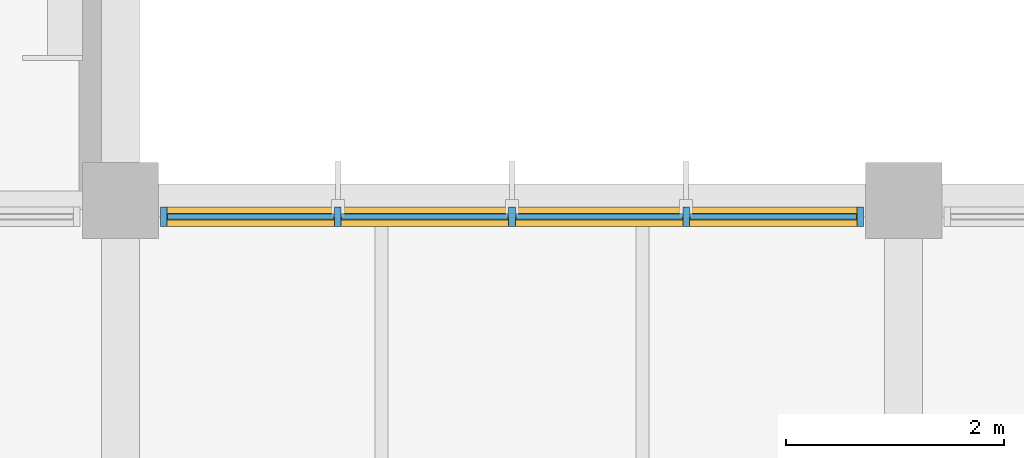
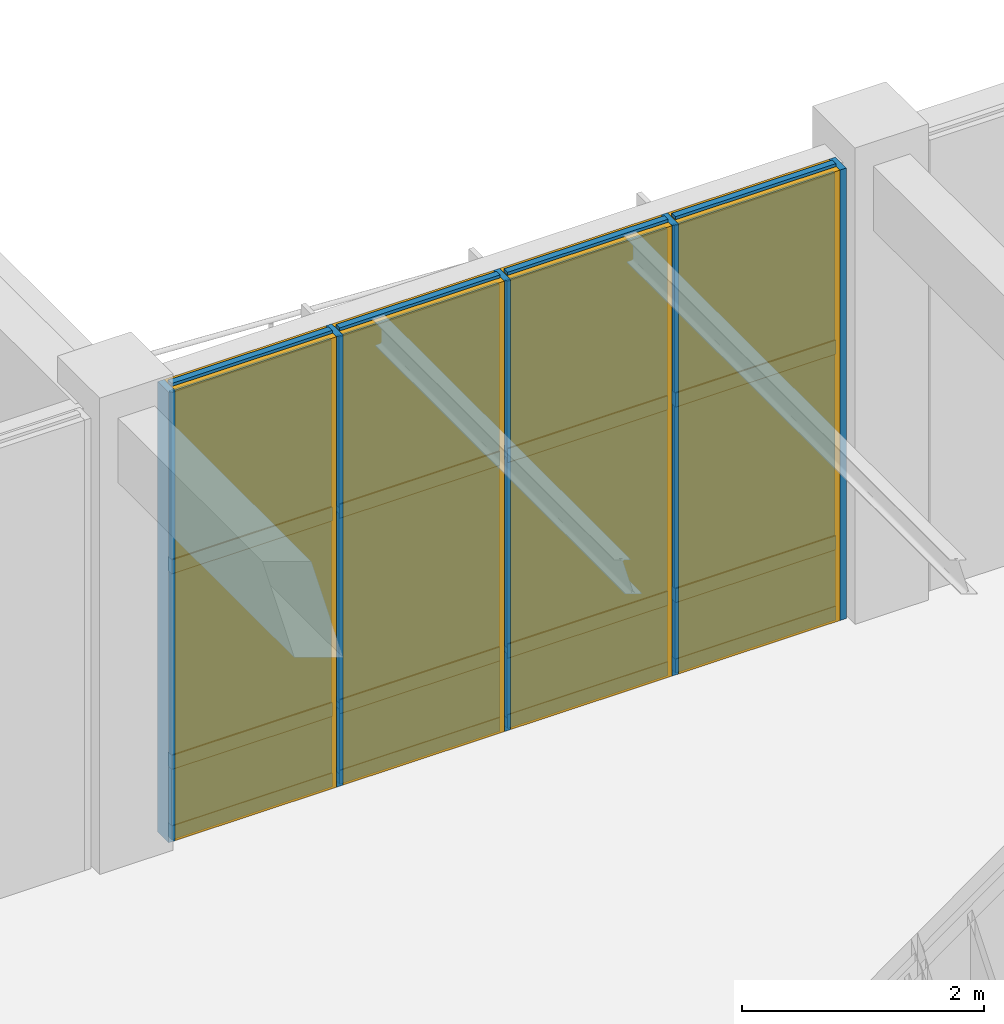
# One storey, part 91 of 122: 21 members, 12 plates, 1 curtain wall.
"""IFC4 building model written with IfcOpenShell, lengths in metres."""

from ifc_helpers import new_model, si_unit, direction, frame, frame_2d, origin, origin_2d, place, context, subcontext, project, spatial, rectangle, extrude, material, layer, layer_set, material_profile, profile_set, type_object, element, aggregate, save


model = new_model("IFC4")

# Units and contexts
model_context = context("Model", 3, precision=1e-05, world=origin(), true_north=direction((0.0, 1.0)))
body_context = subcontext(model_context, "Body", "Model", "MODEL_VIEW")
ifc_project = project(units=[si_unit("LENGTHUNIT", "METRE"), si_unit("AREAUNIT", "SQUARE_METRE"), si_unit("VOLUMEUNIT", "CUBIC_METRE"), si_unit("PLANEANGLEUNIT", "RADIAN"), si_unit("MASSUNIT", "GRAM", prefix="KILO")], contexts=[model_context])

# Member
ifc_material_1 = material(Name="Anodised Bronze Aluminium 6063-T6", Category="aluminium")
ifc_material_profile_1 = material_profile(ifc_material_1, rectangle(XDim=0.06005859375, YDim=0.179931640625, at=origin_2d()), Name="ALU MULLION 60x180")
ifc_profile_set_1 = profile_set([ifc_material_profile_1], Name="Anodised Bronze Aluminium 6063-T6")
member_type_1 = type_object("IfcMemberType", Name="Curtain-Wall Primary Mullion 60x180", PredefinedType="MULLION", material=ifc_profile_set_1)
site_placement = place(None, origin())
building_placement = place(site_placement, origin())
storey_placement = place(building_placement, origin())
member_1_placement = place(storey_placement, frame((103.0, 51.64990234375, 0.0), z_axis=(0.0, 0.0, 1.0), x_axis=(1.0, 0.0, 0.0)))
member_1 = element("IfcMember", 1, at=member_1_placement, type_object=member_type_1, Name="Mullion CWM-01 CW-ELNK-N-L00-B2-M01", PredefinedType="MULLION", context=body_context, shape_type="SweptSolid", body=[
    extrude(rectangle(XDim=0.06005859375, YDim=0.179931640625, at=origin_2d()), origin(), (0.0, 0.0, 1.0), 4.5400390625),
])

member_2_placement = place(storey_placement, frame((104.60009765625, 51.64990234375, 0.0), z_axis=(0.0, 0.0, 1.0), x_axis=(1.0, 0.0, 0.0)))
member_2 = element("IfcMember", 2, at=member_2_placement, type_object=member_type_1, Name="Mullion CWM-01 CW-ELNK-N-L00-B2-M02", PredefinedType="MULLION", context=body_context, shape_type="SweptSolid", body=[
    extrude(rectangle(XDim=0.06005859375, YDim=0.179931640625, at=origin_2d()), origin(), (0.0, 0.0, 1.0), 4.5400390625),
])

member_3_placement = place(storey_placement, frame((106.199951171875, 51.64990234375, 0.0), z_axis=(0.0, 0.0, 1.0), x_axis=(1.0, 0.0, 0.0)))
member_3 = element("IfcMember", 3, at=member_3_placement, type_object=member_type_1, Name="Mullion CWM-01 CW-ELNK-N-L00-B2-M03", PredefinedType="MULLION", context=body_context, shape_type="SweptSolid", body=[
    extrude(rectangle(XDim=0.06005859375, YDim=0.179931640625, at=origin_2d()), origin(), (0.0, 0.0, 1.0), 4.5400390625),
])

member_4_placement = place(storey_placement, frame((107.800048828125, 51.64990234375, 0.0), z_axis=(0.0, 0.0, 1.0), x_axis=(1.0, 0.0, 0.0)))
member_4 = element("IfcMember", 4, at=member_4_placement, type_object=member_type_1, Name="Mullion CWM-01 CW-ELNK-N-L00-B2-M04", PredefinedType="MULLION", context=body_context, shape_type="SweptSolid", body=[
    extrude(rectangle(XDim=0.06005859375, YDim=0.179931640625, at=origin_2d()), origin(), (0.0, 0.0, 1.0), 4.5400390625),
])

member_5_placement = place(storey_placement, frame((109.39990234375, 51.64990234375, 0.0), z_axis=(0.0, 0.0, 1.0), x_axis=(1.0, 0.0, 0.0)))
member_5 = element("IfcMember", 5, at=member_5_placement, type_object=member_type_1, Name="Mullion CWM-01 CW-ELNK-N-L00-B2-M05", PredefinedType="MULLION", context=body_context, shape_type="SweptSolid", body=[
    extrude(rectangle(XDim=0.06005859375, YDim=0.179931640625, at=origin_2d()), origin(), (0.0, 0.0, 1.0), 4.5400390625),
])

ifc_material_profile_2 = material_profile(ifc_material_1, rectangle(XDim=0.06005859375, YDim=0.139892578125, at=origin_2d()), Name="ALU TRANSOM 60x140")
ifc_profile_set_2 = profile_set([ifc_material_profile_2], Name="Anodised Bronze Aluminium 6063-T6")
member_type_2 = type_object("IfcMemberType", Name="Curtain-Wall Transom 60x140", PredefinedType="USERDEFINED", material=ifc_profile_set_2)
member_6_placement = place(storey_placement, frame((103.034912109375, 51.64990234375, 0.0400390625), z_axis=(1.0, 0.0, 0.0), x_axis=(0.0, 1.0, 0.0)))
member_6 = element("IfcMember", 6, at=member_6_placement, type_object=member_type_2, Name="Transom CWT-01 CW-ELNK-N-L00-B2-T01.1", ObjectType="TRANSOM", PredefinedType="USERDEFINED", context=body_context, shape_type="SweptSolid", body=[
    extrude(rectangle(XDim=0.06005859375, YDim=0.139892578125, at=origin_2d()), origin(), (0.0, 0.0, 1.0), 1.530029296875),
])

member_7_placement = place(storey_placement, frame((103.034912109375, 51.64990234375, 0.75), z_axis=(1.0, 0.0, 0.0), x_axis=(0.0, 1.0, 0.0)))
member_7 = element("IfcMember", 7, at=member_7_placement, type_object=member_type_2, Name="Transom CWT-01 CW-ELNK-N-L00-B2-T01.2", ObjectType="TRANSOM", PredefinedType="USERDEFINED", context=body_context, shape_type="SweptSolid", body=[
    extrude(rectangle(XDim=0.06005859375, YDim=0.139892578125, at=origin_2d()), origin(), (0.0, 0.0, 1.0), 1.530029296875),
])

member_8_placement = place(storey_placement, frame((103.034912109375, 51.64990234375, 2.720703125), z_axis=(1.0, 0.0, 0.0), x_axis=(0.0, 1.0, 0.0)))
member_8 = element("IfcMember", 8, at=member_8_placement, type_object=member_type_2, Name="Transom CWT-01 CW-ELNK-N-L00-B2-T01.3", ObjectType="TRANSOM", PredefinedType="USERDEFINED", context=body_context, shape_type="SweptSolid", body=[
    extrude(rectangle(XDim=0.06005859375, YDim=0.139892578125, at=origin_2d()), origin(), (0.0, 0.0, 1.0), 1.530029296875),
])

member_9_placement = place(storey_placement, frame((103.034912109375, 51.64990234375, 4.5), z_axis=(1.0, 0.0, 0.0), x_axis=(0.0, 1.0, 0.0)))
member_9 = element("IfcMember", 9, at=member_9_placement, type_object=member_type_2, Name="Transom CWT-01 CW-ELNK-N-L00-B2-T01.4", ObjectType="TRANSOM", PredefinedType="USERDEFINED", context=body_context, shape_type="SweptSolid", body=[
    extrude(rectangle(XDim=0.06005859375, YDim=0.139892578125, at=origin_2d()), origin(), (0.0, 0.0, 1.0), 1.530029296875),
])

member_10_placement = place(storey_placement, frame((104.635009765625, 51.64990234375, 0.0400390625), z_axis=(1.0, 0.0, 0.0), x_axis=(0.0, 1.0, 0.0)))
member_10 = element("IfcMember", 10, at=member_10_placement, type_object=member_type_2, Name="Transom CWT-01 CW-ELNK-N-L00-B2-T02.1", ObjectType="TRANSOM", PredefinedType="USERDEFINED", context=body_context, shape_type="SweptSolid", body=[
    extrude(rectangle(XDim=0.06005859375, YDim=0.139892578125, at=origin_2d()), origin(), (0.0, 0.0, 1.0), 1.530029296875),
])

member_11_placement = place(storey_placement, frame((104.635009765625, 51.64990234375, 0.75), z_axis=(1.0, 0.0, 0.0), x_axis=(0.0, 1.0, 0.0)))
member_11 = element("IfcMember", 11, at=member_11_placement, type_object=member_type_2, Name="Transom CWT-01 CW-ELNK-N-L00-B2-T02.2", ObjectType="TRANSOM", PredefinedType="USERDEFINED", context=body_context, shape_type="SweptSolid", body=[
    extrude(rectangle(XDim=0.06005859375, YDim=0.139892578125, at=origin_2d()), origin(), (0.0, 0.0, 1.0), 1.530029296875),
])

member_12_placement = place(storey_placement, frame((104.635009765625, 51.64990234375, 2.720703125), z_axis=(1.0, 0.0, 0.0), x_axis=(0.0, 1.0, 0.0)))
member_12 = element("IfcMember", 12, at=member_12_placement, type_object=member_type_2, Name="Transom CWT-01 CW-ELNK-N-L00-B2-T02.3", ObjectType="TRANSOM", PredefinedType="USERDEFINED", context=body_context, shape_type="SweptSolid", body=[
    extrude(rectangle(XDim=0.06005859375, YDim=0.139892578125, at=origin_2d()), origin(), (0.0, 0.0, 1.0), 1.530029296875),
])

member_13_placement = place(storey_placement, frame((104.635009765625, 51.64990234375, 4.5), z_axis=(1.0, 0.0, 0.0), x_axis=(0.0, 1.0, 0.0)))
member_13 = element("IfcMember", 13, at=member_13_placement, type_object=member_type_2, Name="Transom CWT-01 CW-ELNK-N-L00-B2-T02.4", ObjectType="TRANSOM", PredefinedType="USERDEFINED", context=body_context, shape_type="SweptSolid", body=[
    extrude(rectangle(XDim=0.06005859375, YDim=0.139892578125, at=origin_2d()), origin(), (0.0, 0.0, 1.0), 1.530029296875),
])

member_14_placement = place(storey_placement, frame((106.235107421875, 51.64990234375, 0.0400390625), z_axis=(1.0, 0.0, 0.0), x_axis=(0.0, 1.0, 0.0)))
member_14 = element("IfcMember", 14, at=member_14_placement, type_object=member_type_2, Name="Transom CWT-01 CW-ELNK-N-L00-B2-T03.1", ObjectType="TRANSOM", PredefinedType="USERDEFINED", context=body_context, shape_type="SweptSolid", body=[
    extrude(rectangle(XDim=0.06005859375, YDim=0.139892578125, at=origin_2d()), origin(), (0.0, 0.0, 1.0), 1.52978515625),
])

member_15_placement = place(storey_placement, frame((106.235107421875, 51.64990234375, 0.75), z_axis=(1.0, 0.0, 0.0), x_axis=(0.0, 1.0, 0.0)))
member_15 = element("IfcMember", 15, at=member_15_placement, type_object=member_type_2, Name="Transom CWT-01 CW-ELNK-N-L00-B2-T03.2", ObjectType="TRANSOM", PredefinedType="USERDEFINED", context=body_context, shape_type="SweptSolid", body=[
    extrude(rectangle(XDim=0.06005859375, YDim=0.139892578125, at=origin_2d()), origin(), (0.0, 0.0, 1.0), 1.52978515625),
])

member_16_placement = place(storey_placement, frame((106.235107421875, 51.64990234375, 2.720703125), z_axis=(1.0, 0.0, 0.0), x_axis=(0.0, 1.0, 0.0)))
member_16 = element("IfcMember", 16, at=member_16_placement, type_object=member_type_2, Name="Transom CWT-01 CW-ELNK-N-L00-B2-T03.3", ObjectType="TRANSOM", PredefinedType="USERDEFINED", context=body_context, shape_type="SweptSolid", body=[
    extrude(rectangle(XDim=0.06005859375, YDim=0.139892578125, at=origin_2d()), origin(), (0.0, 0.0, 1.0), 1.52978515625),
])

member_17_placement = place(storey_placement, frame((106.235107421875, 51.64990234375, 4.5), z_axis=(1.0, 0.0, 0.0), x_axis=(0.0, 1.0, 0.0)))
member_17 = element("IfcMember", 17, at=member_17_placement, type_object=member_type_2, Name="Transom CWT-01 CW-ELNK-N-L00-B2-T03.4", ObjectType="TRANSOM", PredefinedType="USERDEFINED", context=body_context, shape_type="SweptSolid", body=[
    extrude(rectangle(XDim=0.06005859375, YDim=0.139892578125, at=origin_2d()), origin(), (0.0, 0.0, 1.0), 1.52978515625),
])

member_18_placement = place(storey_placement, frame((107.8349609375, 51.64990234375, 0.0400390625), z_axis=(1.0, 0.0, 0.0), x_axis=(0.0, 1.0, 0.0)))
member_18 = element("IfcMember", 18, at=member_18_placement, type_object=member_type_2, Name="Transom CWT-01 CW-ELNK-N-L00-B2-T04.1", ObjectType="TRANSOM", PredefinedType="USERDEFINED", context=body_context, shape_type="SweptSolid", body=[
    extrude(rectangle(XDim=0.06005859375, YDim=0.139892578125, at=origin_2d()), origin(), (0.0, 0.0, 1.0), 1.530029296875),
])

member_19_placement = place(storey_placement, frame((107.8349609375, 51.64990234375, 0.75), z_axis=(1.0, 0.0, 0.0), x_axis=(0.0, 1.0, 0.0)))
member_19 = element("IfcMember", 19, at=member_19_placement, type_object=member_type_2, Name="Transom CWT-01 CW-ELNK-N-L00-B2-T04.2", ObjectType="TRANSOM", PredefinedType="USERDEFINED", context=body_context, shape_type="SweptSolid", body=[
    extrude(rectangle(XDim=0.06005859375, YDim=0.139892578125, at=origin_2d()), origin(), (0.0, 0.0, 1.0), 1.530029296875),
])

member_20_placement = place(storey_placement, frame((107.8349609375, 51.64990234375, 2.720703125), z_axis=(1.0, 0.0, 0.0), x_axis=(0.0, 1.0, 0.0)))
member_20 = element("IfcMember", 20, at=member_20_placement, type_object=member_type_2, Name="Transom CWT-01 CW-ELNK-N-L00-B2-T04.3", ObjectType="TRANSOM", PredefinedType="USERDEFINED", context=body_context, shape_type="SweptSolid", body=[
    extrude(rectangle(XDim=0.06005859375, YDim=0.139892578125, at=origin_2d()), origin(), (0.0, 0.0, 1.0), 1.530029296875),
])

member_21_placement = place(storey_placement, frame((107.8349609375, 51.64990234375, 4.5), z_axis=(1.0, 0.0, 0.0), x_axis=(0.0, 1.0, 0.0)))
member_21 = element("IfcMember", 21, at=member_21_placement, type_object=member_type_2, Name="Transom CWT-01 CW-ELNK-N-L00-B2-T04.4", ObjectType="TRANSOM", PredefinedType="USERDEFINED", context=body_context, shape_type="SweptSolid", body=[
    extrude(rectangle(XDim=0.06005859375, YDim=0.139892578125, at=origin_2d()), origin(), (0.0, 0.0, 1.0), 1.530029296875),
])

# Plate
ifc_material_2 = material(Name="Insulated Bronze Aluminium Spandrel Panel", Category="aluminium")
ifc_layer_1 = layer(ifc_material_2, 0.050048828125, Name="Insulated Bronze Aluminium Spandrel Panel")
ifc_layer_set_1 = layer_set([ifc_layer_1], Name="Insulated Bronze Aluminium Spandrel Panel")
plate_type_1 = type_object("IfcPlateType", Name="Insulated Anodised Aluminium Spandrel Cassette 50", PredefinedType="CURTAIN_PANEL", material=ifc_layer_set_1)
plate_1_placement = place(storey_placement, frame((103.800048828125, 51.64990234375, 0.070068359375), z_axis=(0.0, 0.0, 1.0), x_axis=(1.0, 0.0, 0.0)))
plate_1 = element("IfcPlate", 22, at=plate_1_placement, type_object=plate_type_1, Name="Curtain Panel CWP-03 CW-ELNK-N-L00-B2-P01.1", PredefinedType="CURTAIN_PANEL", context=body_context, shape_type="SweptSolid", body=[
    extrude(rectangle(XDim=1.530029296875, YDim=0.050048828125, at=origin_2d()), origin(), (0.0, 0.0, 1.0), 0.64990234375),
])

plate_2_placement = place(storey_placement, frame((105.39990234375, 51.64990234375, 0.070068359375), z_axis=(0.0, 0.0, 1.0), x_axis=(1.0, 0.0, 0.0)))
plate_2 = element("IfcPlate", 23, at=plate_2_placement, type_object=plate_type_1, Name="Curtain Panel CWP-03 CW-ELNK-N-L00-B2-P02.1", PredefinedType="CURTAIN_PANEL", context=body_context, shape_type="SweptSolid", body=[
    extrude(rectangle(XDim=1.530029296875, YDim=0.050048828125, at=origin_2d()), origin(), (0.0, 0.0, 1.0), 0.64990234375),
])

plate_3_placement = place(storey_placement, frame((107.0, 51.64990234375, 0.070068359375), z_axis=(0.0, 0.0, 1.0), x_axis=(1.0, 0.0, 0.0)))
plate_3 = element("IfcPlate", 24, at=plate_3_placement, type_object=plate_type_1, Name="Curtain Panel CWP-03 CW-ELNK-N-L00-B2-P03.1", PredefinedType="CURTAIN_PANEL", context=body_context, shape_type="SweptSolid", body=[
    extrude(rectangle(XDim=1.530029296875, YDim=0.050048828125, at=origin_2d()), origin(), (0.0, 0.0, 1.0), 0.64990234375),
])

plate_4_placement = place(storey_placement, frame((108.60009765625, 51.64990234375, 0.070068359375), z_axis=(0.0, 0.0, 1.0), x_axis=(1.0, 0.0, 0.0)))
plate_4 = element("IfcPlate", 25, at=plate_4_placement, type_object=plate_type_1, Name="Curtain Panel CWP-03 CW-ELNK-N-L00-B2-P04.1", PredefinedType="CURTAIN_PANEL", context=body_context, shape_type="SweptSolid", body=[
    extrude(rectangle(XDim=1.530029296875, YDim=0.050048828125, at=origin_2d()), origin(), (0.0, 0.0, 1.0), 0.64990234375),
])

ifc_material_3 = material(Name="Solar-Control Tempered Double Glazing", Category="glass")
ifc_layer_2 = layer(ifc_material_3, 0.0380859375, Name="Solar-Control Tempered Double Glazing")
ifc_layer_set_2 = layer_set([ifc_layer_2], Name="Solar-Control Tempered Double Glazing")
plate_type_2 = type_object("IfcPlateType", Name="Solar-Control Vision Glazing Unit 38", PredefinedType="CURTAIN_PANEL", material=ifc_layer_set_2)
plate_5_placement = place(storey_placement, frame((103.800048828125, 51.64990234375, 0.77978515625), z_axis=(0.0, 0.0, 1.0), x_axis=(1.0, 0.0, 0.0)))
plate_5 = element("IfcPlate", 26, at=plate_5_placement, type_object=plate_type_2, Name="Curtain Panel CWP-02 CW-ELNK-N-L00-B2-P01.2", PredefinedType="CURTAIN_PANEL", context=body_context, shape_type="SweptSolid", body=[
    extrude(rectangle(XDim=1.530029296875, YDim=0.0380859375, at=origin_2d()), origin(), (0.0, 0.0, 1.0), 1.910888671875),
])

plate_6_placement = place(storey_placement, frame((103.800048828125, 51.64990234375, 2.750732421875), z_axis=(0.0, 0.0, 1.0), x_axis=(1.0, 0.0, 0.0)))
plate_6 = element("IfcPlate", 27, at=plate_6_placement, type_object=plate_type_2, Name="Curtain Panel CWP-02 CW-ELNK-N-L00-B2-P01.3", PredefinedType="CURTAIN_PANEL", context=body_context, shape_type="SweptSolid", body=[
    extrude(rectangle(XDim=1.530029296875, YDim=0.0380859375, at=origin_2d()), origin(), (0.0, 0.0, 1.0), 1.71923828125),
])

plate_7_placement = place(storey_placement, frame((105.39990234375, 51.64990234375, 0.77978515625), z_axis=(0.0, 0.0, 1.0), x_axis=(1.0, 0.0, 0.0)))
plate_7 = element("IfcPlate", 28, at=plate_7_placement, type_object=plate_type_2, Name="Curtain Panel CWP-02 CW-ELNK-N-L00-B2-P02.2", PredefinedType="CURTAIN_PANEL", context=body_context, shape_type="SweptSolid", body=[
    extrude(rectangle(XDim=1.530029296875, YDim=0.0380859375, at=origin_2d()), origin(), (0.0, 0.0, 1.0), 1.910888671875),
])

plate_8_placement = place(storey_placement, frame((105.39990234375, 51.64990234375, 2.750732421875), z_axis=(0.0, 0.0, 1.0), x_axis=(1.0, 0.0, 0.0)))
plate_8 = element("IfcPlate", 29, at=plate_8_placement, type_object=plate_type_2, Name="Curtain Panel CWP-02 CW-ELNK-N-L00-B2-P02.3", PredefinedType="CURTAIN_PANEL", context=body_context, shape_type="SweptSolid", body=[
    extrude(rectangle(XDim=1.530029296875, YDim=0.0380859375, at=origin_2d()), origin(), (0.0, 0.0, 1.0), 1.71923828125),
])

plate_9_placement = place(storey_placement, frame((107.0, 51.64990234375, 0.77978515625), z_axis=(0.0, 0.0, 1.0), x_axis=(1.0, 0.0, 0.0)))
plate_9 = element("IfcPlate", 30, at=plate_9_placement, type_object=plate_type_2, Name="Curtain Panel CWP-02 CW-ELNK-N-L00-B2-P03.2", PredefinedType="CURTAIN_PANEL", context=body_context, shape_type="SweptSolid", body=[
    extrude(rectangle(XDim=1.530029296875, YDim=0.0380859375, at=origin_2d()), origin(), (0.0, 0.0, 1.0), 1.910888671875),
])

plate_10_placement = place(storey_placement, frame((107.0, 51.64990234375, 2.750732421875), z_axis=(0.0, 0.0, 1.0), x_axis=(1.0, 0.0, 0.0)))
plate_10 = element("IfcPlate", 31, at=plate_10_placement, type_object=plate_type_2, Name="Curtain Panel CWP-02 CW-ELNK-N-L00-B2-P03.3", PredefinedType="CURTAIN_PANEL", context=body_context, shape_type="SweptSolid", body=[
    extrude(rectangle(XDim=1.530029296875, YDim=0.0380859375, at=origin_2d()), origin(), (0.0, 0.0, 1.0), 1.71923828125),
])

plate_11_placement = place(storey_placement, frame((108.60009765625, 51.64990234375, 0.77978515625), z_axis=(0.0, 0.0, 1.0), x_axis=(1.0, 0.0, 0.0)))
plate_11 = element("IfcPlate", 32, at=plate_11_placement, type_object=plate_type_2, Name="Curtain Panel CWP-02 CW-ELNK-N-L00-B2-P04.2", PredefinedType="CURTAIN_PANEL", context=body_context, shape_type="SweptSolid", body=[
    extrude(rectangle(XDim=1.530029296875, YDim=0.0380859375, at=origin_2d()), origin(), (0.0, 0.0, 1.0), 1.910888671875),
])

plate_12_placement = place(storey_placement, frame((108.60009765625, 51.64990234375, 2.750732421875), z_axis=(0.0, 0.0, 1.0), x_axis=(1.0, 0.0, 0.0)))
plate_12 = element("IfcPlate", 33, at=plate_12_placement, type_object=plate_type_2, Name="Curtain Panel CWP-02 CW-ELNK-N-L00-B2-P04.3", PredefinedType="CURTAIN_PANEL", context=body_context, shape_type="SweptSolid", body=[
    extrude(rectangle(XDim=1.530029296875, YDim=0.0380859375, at=origin_2d()), origin(), (0.0, 0.0, 1.0), 1.71923828125),
])

# Site, building, storey
site = spatial("IfcSite", under=ifc_project, at=site_placement, CompositionType="ELEMENT")
building = spatial("IfcBuilding", under=site, at=building_placement, Name="Tazoul Stagehouse", CompositionType="ELEMENT")
storey = spatial("IfcBuildingStorey", under=building, at=storey_placement, Name="L00", CompositionType="ELEMENT", Elevation=0.0)

# Curtain wall
curtain_wall_type = type_object("IfcCurtainWallType", Name="Atrium Clerestory Glazed Wall", PredefinedType="NOTDEFINED", material=ifc_material_1)
curtain_wall_placement = place(storey_placement, frame((103.0, 51.64990234375, 0.0), z_axis=(0.0, 0.0, 1.0), x_axis=(1.0, 0.0, 0.0)))
curtain_wall = element("IfcCurtainWall", 34, at=curtain_wall_placement, inside=storey, type_object=curtain_wall_type, Name="L00 Curtain Wall CW-05 (CW-ELNK-N-L00-B2)", PredefinedType="NOTDEFINED", context=body_context, shape_type="SweptSolid", body=[
    extrude(rectangle(XDim=6.39990234375, YDim=0.179931640625, at=frame_2d((3.199951171875, 0.0))), origin(), (0.0, 0.0, 1.0), 4.5400390625),
])

aggregate(curtain_wall, [member_1, member_2, member_3, member_4, member_5, member_6, member_7, member_8, member_9, plate_1, plate_5, plate_6, member_10, member_11, member_12, member_13, plate_2, plate_7, plate_8, member_14, member_15, member_16, member_17, plate_3, plate_9, plate_10, member_18, member_19, member_20, member_21, plate_4, plate_11, plate_12])

save(model, "model.ifc")
